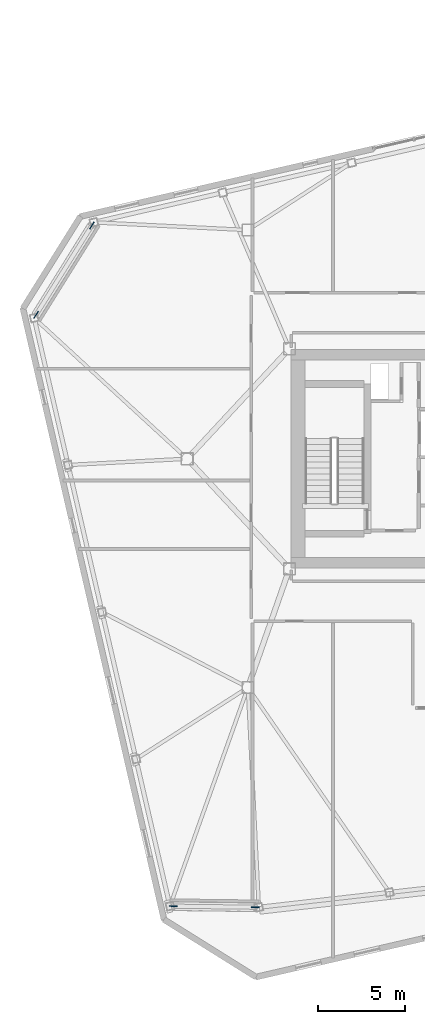
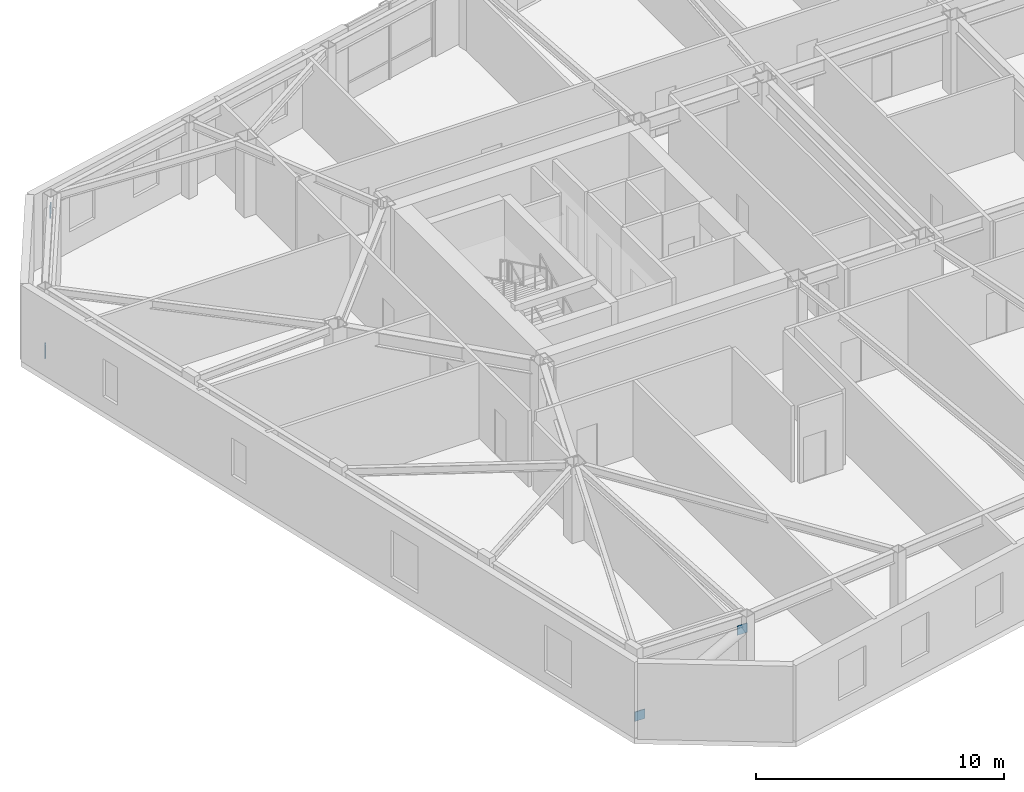
# One storey, part 21 of 24: 4 discrete accessories.
"""IFC4 building model written with IfcOpenShell, lengths in metres."""

from ifc_helpers import new_model, si_unit, direction, frame, origin, origin_2d, place, context, subcontext, project, spatial, rectangle, extrude, material, type_object, element, save


model = new_model("IFC4")

# Units and contexts
model_context = context("Model", 3, precision=1e-05, world=origin(), true_north=direction((0.0, 1.0)))
body_context = subcontext(model_context, "Body", "Model", "MODEL_VIEW")
ifc_project = project(units=[si_unit("LENGTHUNIT", "METRE"), si_unit("AREAUNIT", "SQUARE_METRE"), si_unit("VOLUMEUNIT", "CUBIC_METRE"), si_unit("PLANEANGLEUNIT", "RADIAN"), si_unit("MASSUNIT", "GRAM", prefix="KILO")], contexts=[model_context])

# Site, building, storey
site_placement = place(None, origin())
site = spatial("IfcSite", under=ifc_project, at=site_placement, CompositionType="ELEMENT")
building_placement = place(site_placement, origin())
building = spatial("IfcBuilding", under=site, at=building_placement, Name="Tavrogorsk Clinical Tower", CompositionType="ELEMENT")
storey_placement = place(building_placement, frame((0.0, 0.0, 321.0)))
storey = spatial("IfcBuildingStorey", under=building, at=storey_placement, Name="L75", CompositionType="ELEMENT", Elevation=321.0)

# Discrete accessories
ifc_material = material(Name="Structural steel S440", Category="steel")
discrete_accessory_type = type_object("IfcDiscreteAccessoryType", Name="GussetPlateBracket_25", PredefinedType="BRACKET", material=ifc_material)
for number, where, z_axis, x_axis, name in (
    (1, (-36.72265625, 8.30908203125, 0.163330078125), (0.0, 0.0, 1.0), (0.529919264233, 0.848048096156, 0.0), "L75 Brace Gusset Plate EXOCRN-L75-3-A"),
    (2, (-33.501708984375, 13.4638671875, 2.81689453125), (0.0, 0.0, 1.0), (0.529919264233, 0.848048096156, 0.0), "L75 Brace Gusset Plate EXOCRN-L75-3-B"),
    (3, (-28.794677734375, -25.821533203125, 0.182861328125), (0.0, 0.0, 1.0), (0.999914327574, -0.013089595571, 0.0), "L75 Brace Gusset Plate EXOCRN-L75-4-A"),
    (4, (-24.07080078125, -25.883056640625, 2.797119140625), (0.0, 0.0, 1.0), (0.999914327574, -0.013089595571, 0.0), "L75 Brace Gusset Plate EXOCRN-L75-4-B"),
):
    element("IfcDiscreteAccessory", number, at=place(storey_placement, frame(where, z_axis=z_axis, x_axis=x_axis)), inside=storey, type_object=discrete_accessory_type, Name=name, PredefinedType="BRACKET", context=body_context, shape_type="SweptSolid", body=[
        extrude(rectangle(XDim=0.4599609375, YDim=0.0400390625, at=origin_2d()), origin(), (0.0, 0.0, 1.0), 0.4599609375),
    ])

save(model, "model.ifc")
